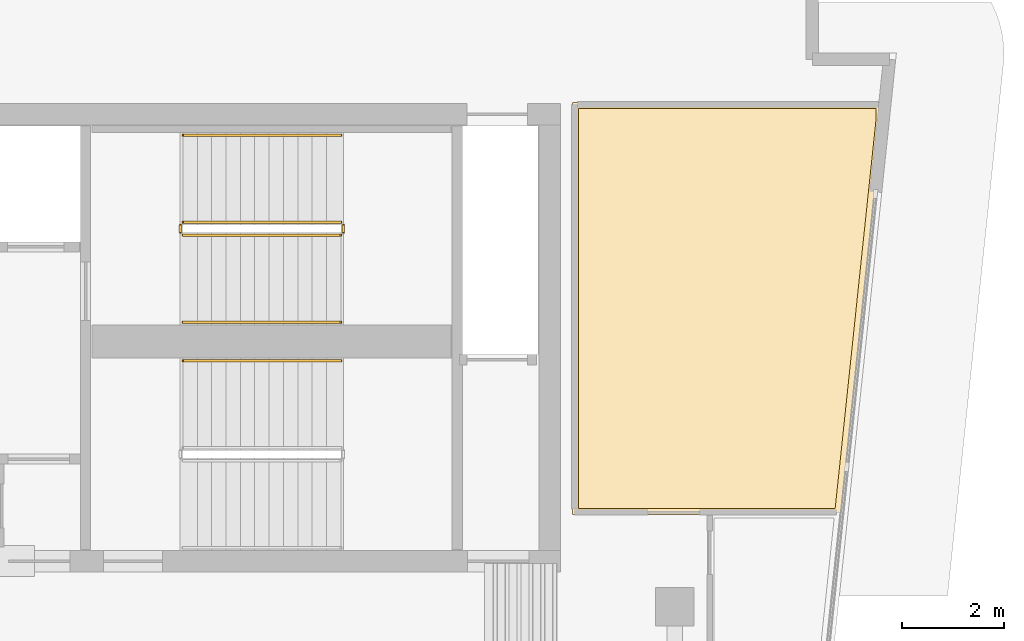
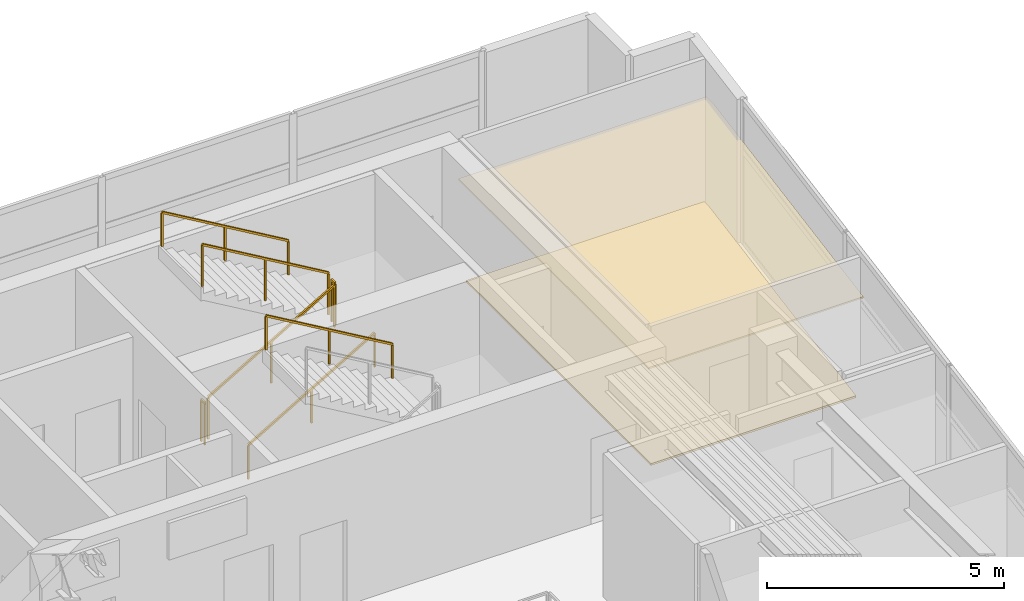
# One storey, part 6 of 6: 7 railings, 2 coverings.
"""IFC4 building model written with IfcOpenShell, lengths in metres."""

from ifc_helpers import new_model, si_unit, direction, frame, origin, origin_2d, place, context, subcontext, project, spatial, polyline, rectangle, outline, extrude, material, layer, layer_set, type_object, element, save


model = new_model("IFC4")

# Units and contexts
model_context = context("Model", 3, precision=1e-05, world=origin(), true_north=direction((0.0, 1.0)))
body_context = subcontext(model_context, "Body", "Model", "MODEL_VIEW")
ifc_project = project(units=[si_unit("LENGTHUNIT", "METRE"), si_unit("AREAUNIT", "SQUARE_METRE"), si_unit("VOLUMEUNIT", "CUBIC_METRE"), si_unit("PLANEANGLEUNIT", "RADIAN"), si_unit("MASSUNIT", "GRAM", prefix="KILO")], contexts=[model_context])

# Site, building, storey
site_placement = place(None, origin())
site = spatial("IfcSite", under=ifc_project, at=site_placement, CompositionType="ELEMENT")
building_placement = place(site_placement, origin())
building = spatial("IfcBuilding", under=site, at=building_placement, Name="Caeloran Harvest Quay", CompositionType="ELEMENT")
storey_placement = place(building_placement, frame((0.0, 0.0, 276.449951171875)))
storey = spatial("IfcBuildingStorey", under=building, at=storey_placement, Name="L66", CompositionType="ELEMENT", Elevation=276.449951171875)

# Coverings
ifc_material_1 = material(Name="Perforated Mineral-Fibre Acoustic Ceiling Tile", Category="ceiling")
ifc_layer_1 = layer(ifc_material_1, 0.0400390625, Name="Perforated Mineral-Fibre Acoustic Ceiling Tile")
ifc_layer_set_1 = layer_set([ifc_layer_1], Name="Perforated Mineral-Fibre Acoustic Ceiling Tile")
covering_type_1 = type_object("IfcCoveringType", Name="COV-CEILING-ACOUSTIC", PredefinedType="CEILING", material=ifc_layer_set_1)
covering_1_placement = place(storey_placement, frame((0.0, 0.0, 2.60009765625)))
element("IfcCovering", 1, at=covering_1_placement, inside=storey, type_object=covering_type_1, Name="L66 Bioinformatics and Crop Phenotyping Laboratory Acoustic Ceiling", PredefinedType="CEILING", context=body_context, shape_type="SweptSolid", body=[
    extrude(outline(polyline([(29.54150390625, 40.475341796875), (28.7353515625, 32.800048828125), (23.5, 32.800048828125), (23.5, 40.840087890625), (29.54150390625, 40.840087890625), (29.54150390625, 40.475341796875)])), origin(), (0.0, 0.0, 1.0), 0.0400390625),
])
ifc_material_2 = material(Name="Calcium-Sulphate Raised Access Floor and Terrazzo Finish", Category="flooring")
ifc_layer_2 = layer(ifc_material_2, 0.050048828125, Name="Calcium-Sulphate Raised Access Floor and Terrazzo Finish")
ifc_layer_set_2 = layer_set([ifc_layer_2], Name="Calcium-Sulphate Raised Access Floor and Terrazzo Finish")
covering_type_2 = type_object("IfcCoveringType", Name="COV-FLOOR-RAISED", PredefinedType="FLOORING", material=ifc_layer_set_2)
covering_2_placement = place(storey_placement, origin())
element("IfcCovering", 2, at=covering_2_placement, inside=storey, type_object=covering_type_2, Name="L66 Bioinformatics and Crop Phenotyping Laboratory Raised Finish Flooring", PredefinedType="FLOORING", context=body_context, shape_type="SweptSolid", body=[
    extrude(outline(polyline([(29.42138671875, 40.481689453125), (28.627197265625, 32.919921875), (23.6201171875, 32.919921875), (23.6201171875, 40.719970703125), (29.42138671875, 40.719970703125), (29.42138671875, 40.481689453125)])), origin(), (0.0, 0.0, 1.0), 0.050048828125),
])

# Railings
ifc_material_3 = material(Name="Painted Steel Baluster and Top-Rail Stair Guard", Category="steel")
ifc_layer_3 = layer(ifc_material_3, 0.050048828125, Name="Painted Steel Baluster and Top-Rail Stair Guard")
ifc_layer_set_3 = layer_set([ifc_layer_3], Name="Painted Steel Baluster and Top-Rail Stair Guard")
railing_type_1 = type_object("IfcRailingType", Name="STAIR-GUARD-1100", PredefinedType="GUARDRAIL", material=ifc_layer_set_3)
railing_1_placement = place(storey_placement, frame((15.89990234375, 38.25, 0.16455078125)))
element("IfcRailing", 3, at=railing_1_placement, inside=storey, type_object=railing_type_1, Name="L66 ST-C1 stair guard 1", PredefinedType="GUARDRAIL", context=body_context, shape_type="SweptSolid", body=[
    extrude(rectangle(XDim=0.048095703125, YDim=0.048095703125, at=origin_2d()), frame((0.0, 0.0, 1.076171875), z_axis=(0.862088758681, 0.0, 0.506757310905), x_axis=(0.0, 1.0, 0.0)), (0.0, 0.0, 1.0), 3.57275390625),
    extrude(rectangle(XDim=0.0419921875, YDim=0.0419921875, at=origin_2d()), origin(), (0.0, 0.0, 1.0), 1.052001953125),
    extrude(rectangle(XDim=0.0419921875, YDim=0.0419921875, at=origin_2d()), frame((1.5400390625, 0.0, 0.9052734375)), (0.0, 0.0, 1.0), 1.052001953125),
    extrude(rectangle(XDim=0.0419921875, YDim=0.0419921875, at=origin_2d()), frame((3.080078125, 0.0, 1.810546875)), (0.0, 0.0, 1.0), 1.052001953125),
])
railing_2_placement = place(storey_placement, frame((19.030029296875, 38.300048828125, 1.97509765625)))
element("IfcRailing", 4, at=railing_2_placement, inside=storey, type_object=railing_type_1, Name="L66 ST-C1 stair guard 2", PredefinedType="GUARDRAIL", context=body_context, shape_type="SweptSolid", body=[
    extrude(rectangle(XDim=0.048095703125, YDim=0.048095703125, at=origin_2d()), frame((0.0, 0.0, 1.076171875), z_axis=(0.0, 1.0, 0.0), x_axis=(-1.0, 0.0, 0.0)), (0.0, 0.0, 1.0), 0.14990234375),
    extrude(rectangle(XDim=0.0419921875, YDim=0.0419921875, at=origin_2d()), origin(), (0.0, 0.0, 1.0), 1.052001953125),
    extrude(rectangle(XDim=0.0419921875, YDim=0.0419921875, at=origin_2d()), frame((0.0, 0.14990234375, 0.0)), (0.0, 0.0, 1.0), 1.052001953125),
])
railing_3_placement = place(storey_placement, frame((18.97998046875, 38.5, 2.1396484375)))
element("IfcRailing", 5, at=railing_3_placement, inside=storey, type_object=railing_type_1, Name="L66 ST-C1 stair guard 3", PredefinedType="GUARDRAIL", context=body_context, shape_type="SweptSolid", body=[
    extrude(rectangle(XDim=0.048095703125, YDim=0.048095703125, at=origin_2d()), frame((0.0, 0.0, 1.076171875), z_axis=(-0.862118610829, 0.0, 0.506706523406), x_axis=(0.0, -1.0, 0.0)), (0.0, 0.0, 1.0), 3.57275390625),
    extrude(rectangle(XDim=0.0419921875, YDim=0.0419921875, at=origin_2d()), origin(), (0.0, 0.0, 1.0), 1.052001953125),
    extrude(rectangle(XDim=0.0419921875, YDim=0.0419921875, at=origin_2d()), frame((-1.5400390625, 0.0, 0.9052734375)), (0.0, 0.0, 1.0), 1.052001953125),
    extrude(rectangle(XDim=0.0419921875, YDim=0.0419921875, at=origin_2d()), frame((-3.080078125, 0.0, 1.810302734375)), (0.0, 0.0, 1.0), 1.052001953125),
])
railing_4_placement = place(storey_placement, frame((15.85009765625, 38.300048828125, 0.0)))
element("IfcRailing", 6, at=railing_4_placement, inside=storey, type_object=railing_type_1, Name="L66 ST-C1 stair guard 4", PredefinedType="GUARDRAIL", context=body_context, shape_type="SweptSolid", body=[
    extrude(rectangle(XDim=0.048095703125, YDim=0.048095703125, at=origin_2d()), frame((0.0, 0.0, 1.076171875), z_axis=(0.0, 1.0, 0.0), x_axis=(-1.0, 0.0, 0.0)), (0.0, 0.0, 1.0), 0.14990234375),
    extrude(rectangle(XDim=0.0419921875, YDim=0.0419921875, at=origin_2d()), origin(), (0.0, 0.0, 1.0), 1.052001953125),
    extrude(rectangle(XDim=0.0419921875, YDim=0.0419921875, at=origin_2d()), frame((0.0, 0.14990234375, 0.0)), (0.0, 0.0, 1.0), 1.052001953125),
])
ifc_material_4 = material(Name="Brushed Stainless Steel Grade 304", Category="steel")
ifc_layer_4 = layer(ifc_material_4, 0.050048828125, Name="Brushed Stainless Steel Grade 304")
ifc_layer_set_4 = layer_set([ifc_layer_4], Name="Brushed Stainless Steel Grade 304")
railing_type_2 = type_object("IfcRailingType", Name="STAIR-HANDRAIL-900", PredefinedType="HANDRAIL", material=ifc_layer_set_4)
railing_5_placement = place(storey_placement, frame((15.89990234375, 36.550048828125, 0.16455078125)))
element("IfcRailing", 7, at=railing_5_placement, inside=storey, type_object=railing_type_2, Name="L66 ST-C1 stair handrail 1", PredefinedType="HANDRAIL", context=body_context, shape_type="SweptSolid", body=[
    extrude(rectangle(XDim=0.048095703125, YDim=0.048095703125, at=origin_2d()), frame((0.0, 0.0, 0.8759765625), z_axis=(0.862088758681, 0.0, 0.506757310905), x_axis=(0.0, 1.0, 0.0)), (0.0, 0.0, 1.0), 3.57275390625),
    extrude(rectangle(XDim=0.0419921875, YDim=0.0419921875, at=origin_2d()), origin(), (0.0, 0.0, 1.0), 0.851806640625),
    extrude(rectangle(XDim=0.0419921875, YDim=0.0419921875, at=origin_2d()), frame((1.5400390625, 0.0, 0.9052734375)), (0.0, 0.0, 1.0), 0.851806640625),
    extrude(rectangle(XDim=0.0419921875, YDim=0.0419921875, at=origin_2d()), frame((3.080078125, 0.0, 1.810546875)), (0.0, 0.0, 1.0), 0.851806640625),
])
for number, where, name in (
    (8, (18.97998046875, 40.199951171875, 2.1396484375), "L66 ST-C1 stair handrail 2"),
    (9, (18.97998046875, 35.800048828125, 2.1396484375), "L66 ST-C2 stair handrail 2"),
):
    element("IfcRailing", number, at=place(storey_placement, frame(where)), inside=storey, type_object=railing_type_2, Name=name, PredefinedType="HANDRAIL", context=body_context, shape_type="SweptSolid", body=[
        extrude(rectangle(XDim=0.048095703125, YDim=0.048095703125, at=origin_2d()), frame((0.0, 0.0, 0.8759765625), z_axis=(-0.862118610829, 0.0, 0.506706523406), x_axis=(0.0, -1.0, 0.0)), (0.0, 0.0, 1.0), 3.57275390625),
        extrude(rectangle(XDim=0.0419921875, YDim=0.0419921875, at=origin_2d()), origin(), (0.0, 0.0, 1.0), 0.851806640625),
        extrude(rectangle(XDim=0.0419921875, YDim=0.0419921875, at=origin_2d()), frame((-1.5400390625, 0.0, 0.9052734375)), (0.0, 0.0, 1.0), 0.851806640625),
        extrude(rectangle(XDim=0.0419921875, YDim=0.0419921875, at=origin_2d()), frame((-3.080078125, 0.0, 1.810302734375)), (0.0, 0.0, 1.0), 0.851806640625),
    ])

save(model, "model.ifc")
